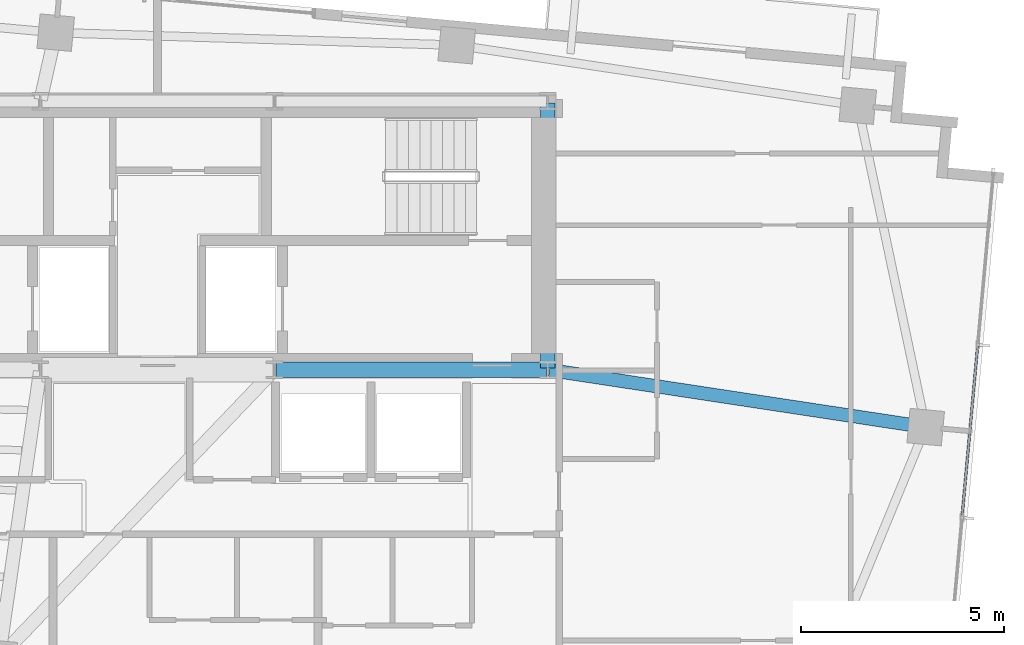
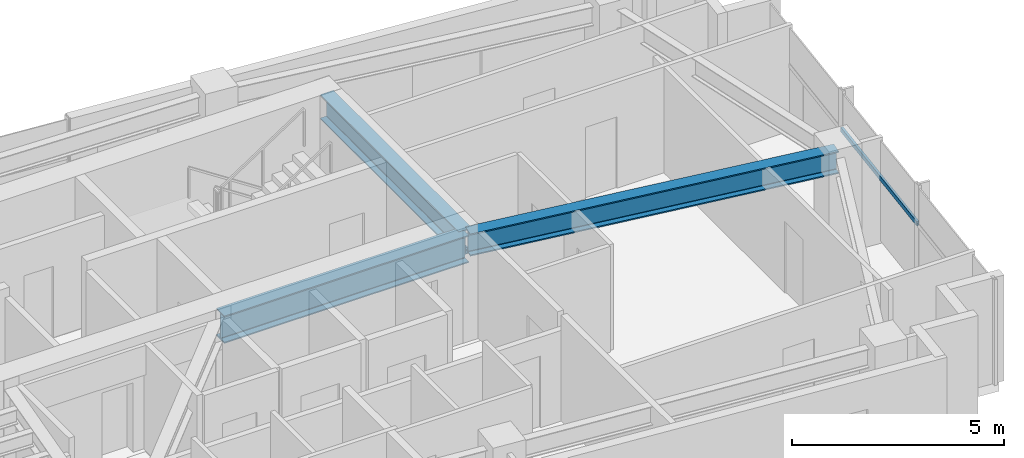
# One storey, part 13 of 22: 3 beams, 1 member, 1 element without a shape of its own.
"""IFC4 building model written with IfcOpenShell, lengths in metres."""

from ifc_helpers import new_model, si_unit, direction, frame, origin, origin_2d, place, context, subcontext, project, spatial, hollow_rectangle, i_section, extrude, source, transform, mapped, material, material_profile, profile_set, type_object, type_shapes, element, aggregate, save


model = new_model("IFC4")

# Units and contexts
model_context = context("Model", 3, precision=1e-05, world=origin(), true_north=direction((0.0, 1.0)))
body_context = subcontext(model_context, "Body", "Model", "MODEL_VIEW")
ifc_project = project(units=[si_unit("LENGTHUNIT", "METRE"), si_unit("AREAUNIT", "SQUARE_METRE"), si_unit("VOLUMEUNIT", "CUBIC_METRE"), si_unit("PLANEANGLEUNIT", "RADIAN"), si_unit("MASSUNIT", "GRAM", prefix="KILO")], contexts=[model_context])

# Site, building, storey
site_placement = place(None, origin())
site = spatial("IfcSite", under=ifc_project, at=site_placement, CompositionType="ELEMENT")
building_placement = place(site_placement, origin())
building = spatial("IfcBuilding", under=site, at=building_placement, Name="Astriad Promenade Condominiums", CompositionType="ELEMENT")
storey_placement = place(building_placement, frame((0.0, 0.0, 239.699951171875)))
storey = spatial("IfcBuildingStorey", under=building, at=storey_placement, Name="L69", CompositionType="ELEMENT", Elevation=239.699951171875)

# Beams
ifc_material_1 = material(Name="Steel ASTM A992 Grade 50", Category="steel")
ifc_material_profile_1 = material_profile(ifc_material_1, i_section(OverallWidth=0.3837890625, OverallDepth=0.785888671875, WebThickness=0.019775390625, FlangeThickness=0.033447265625, FilletRadius=0.021484375, at=origin_2d()), Name="W30X211")
ifc_profile_set_1 = profile_set([ifc_material_profile_1], Name="Steel ASTM A992 Grade 50")
beam_type_1 = type_object("IfcBeamType", Name="STEEL FLOOR GIRDER W30X211", PredefinedType="BEAM", material=ifc_profile_set_1)
shared_shape_1 = source(origin(), body_context, "Body", "SweptSolid", [
    extrude(i_section(OverallWidth=0.3837890625, OverallDepth=0.785888671875, WebThickness=0.019775390625, FlangeThickness=0.033447265625, FilletRadius=0.021484375, at=origin_2d()), origin(), (0.0, 0.0, 1.0), 6.64013671875),
])
type_shapes(beam_type_1, [shared_shape_1])
beam_1_placement = place(storey_placement, frame((38.919921875, 17.39990234375, 2.64697265625), z_axis=(1.0, 0.0, 0.0), x_axis=(0.0, 1.0, 0.0)))
element("IfcBeam", 1, at=beam_1_placement, inside=storey, type_object=beam_type_1, Name="Core Ring Beam CG-S3-L69", PredefinedType="BEAM", context=body_context, shape_type="MappedRepresentation", body=[
    mapped(shared_shape_1, transform((0.0, 0.0, 0.0), scale=1.0)),
])
ifc_material_profile_2 = material_profile(ifc_material_1, i_section(OverallWidth=0.35791015625, OverallDepth=0.706298828125, WebThickness=0.018310546875, FlangeThickness=0.0302734375, FilletRadius=0.020263671875, at=origin_2d()), Name="W27X178")
ifc_profile_set_2 = profile_set([ifc_material_profile_2], Name="Steel ASTM A992 Grade 50")
beam_type_2 = type_object("IfcBeamType", Name="STEEL FLOOR GIRDER W27X178", PredefinedType="BEAM", material=ifc_profile_set_2)
shared_shape_2 = source(origin(), body_context, "Body", "SweptSolid", [
    extrude(i_section(OverallWidth=0.35791015625, OverallDepth=0.706298828125, WebThickness=0.018310546875, FlangeThickness=0.0302734375, FilletRadius=0.020263671875, at=origin_2d()), origin(), (0.0, 0.0, 1.0), 6.52001953125),
])
type_shapes(beam_type_2, [shared_shape_2])
beam_2_placement = place(storey_placement, frame((45.60009765625, 17.43994140625, 2.686767578125), z_axis=(0.0, 1.0, 0.0), x_axis=(-1.0, 0.0, 0.0)))
element("IfcBeam", 2, at=beam_2_placement, inside=storey, type_object=beam_type_2, Name="Core Ring Beam CG-E1-L69", PredefinedType="BEAM", context=body_context, shape_type="MappedRepresentation", body=[
    mapped(shared_shape_2, transform((0.0, 0.0, 0.0), scale=1.0)),
])
ifc_material_profile_3 = material_profile(ifc_material_1, i_section(OverallWidth=0.327392578125, OverallDepth=0.640625, WebThickness=0.01904296875, FlangeThickness=0.033935546875, FilletRadius=0.017822265625, at=origin_2d()), Name="W24X176")
ifc_profile_set_3 = profile_set([ifc_material_profile_3], Name="Steel ASTM A992 Grade 50")
beam_type_3 = type_object("IfcBeamType", Name="STEEL FLOOR GIRDER W24X176", PredefinedType="BEAM", material=ifc_profile_set_3)
shared_shape_3 = source(origin(), body_context, "Body", "SweptSolid", [
    extrude(i_section(OverallWidth=0.327392578125, OverallDepth=0.640625, WebThickness=0.01904296875, FlangeThickness=0.033935546875, FilletRadius=0.017822265625, at=origin_2d()), origin(), (0.0, 0.0, 1.0), 9.315185546875),
])
type_shapes(beam_type_3, [shared_shape_3])
beam_3_placement = place(storey_placement, frame((54.84912109375, 15.995849609375, 2.7197265625), z_axis=(-0.988671230988, 0.150097291834, 0.0), x_axis=(-0.150097291834, -0.988671230988, 0.0)))
element("IfcBeam", 3, at=beam_3_placement, inside=storey, type_object=beam_type_3, Name="Primary Floor Girder PG-EM-L69", PredefinedType="BEAM", context=body_context, shape_type="MappedRepresentation", body=[
    mapped(shared_shape_3, transform((0.0, 0.0, 0.0), scale=1.0)),
])

# Curtain wall, member
ifc_material_2 = material(Name="Anodised aluminium Black Dark Glass Unitised", Category="aluminium")
curtain_wall_type = type_object("IfcCurtainWallType", Name="CW-B5-DARK", PredefinedType="USERDEFINED", material=ifc_material_2)
curtain_wall_placement = place(storey_placement, origin())
curtain_wall = element("IfcCurtainWall", 4, at=curtain_wall_placement, inside=storey, type_object=curtain_wall_type, Name="CW-L69-E", ObjectType="UNITISED_CURTAIN_WALL", PredefinedType="USERDEFINED")
ifc_material_3 = material(Name="Anodised aluminium 6063-T6 Black", Category="aluminium")
ifc_material_profile_4 = material_profile(ifc_material_3, hollow_rectangle(XDim=0.06494140625, YDim=0.1298828125, WallThickness=0.00390625, at=origin_2d()), Name="ALU-TRN-65X130")
ifc_profile_set_4 = profile_set([ifc_material_profile_4], Name="Anodised aluminium 6063-T6 Black")
member_type = type_object("IfcMemberType", Name="TRN-ALU-TRN-65X130", PredefinedType="USERDEFINED", material=ifc_profile_set_4)
shared_shape_4 = source(origin(), body_context, "Body", "SweptSolid", [
    extrude(hollow_rectangle(XDim=0.06494140625, YDim=0.1298828125, WallThickness=0.00390625, at=origin_2d()), origin(), (0.0, 0.0, 1.0), 4.266845703125),
])
type_shapes(member_type, [shared_shape_4])
member_placement = place(storey_placement, frame((56.16748046875, 18.015625, 1.884765625), z_axis=(-0.090633767096, -0.995884290599, 0.0), x_axis=(0.995884290599, -0.090633767096, 0.0)))
member = element("IfcMember", 5, at=member_placement, type_object=member_type, Name="CW-L69-E-TRN-01-0", ObjectType="TRANSOM", PredefinedType="USERDEFINED", context=body_context, shape_type="MappedRepresentation", body=[
    mapped(shared_shape_4, transform((0.0, 0.0, 0.0), scale=1.0)),
])
aggregate(curtain_wall, [member])

save(model, "model.ifc")
